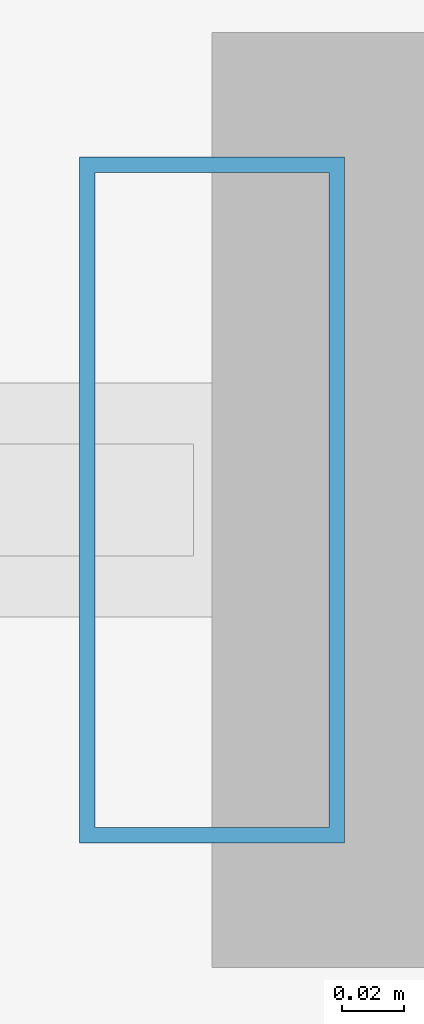
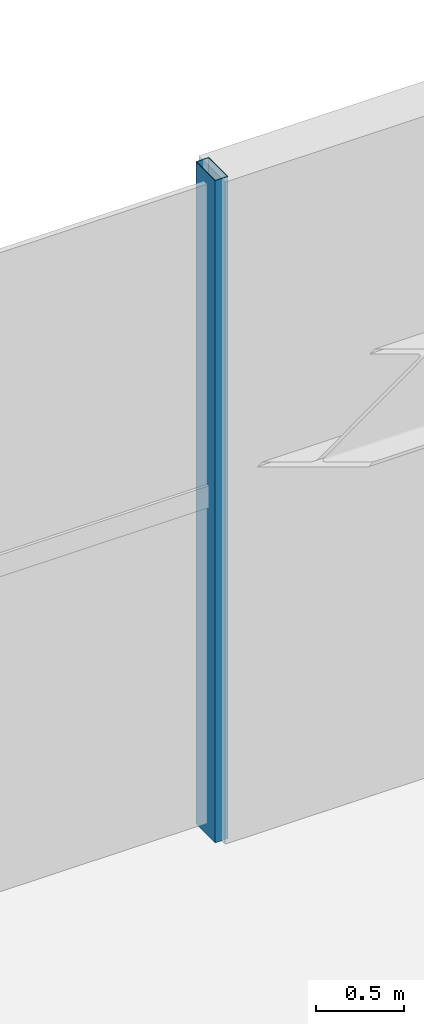
# One storey, part 21 of 31: 1 member, 1 element without a shape of its own.
"""IFC4 building model written with IfcOpenShell, lengths in metres."""

from ifc_helpers import new_model, si_unit, direction, frame, origin, origin_2d, place, context, subcontext, project, spatial, hollow_rectangle, extrude, source, transform, mapped, material, material_profile, profile_set, type_object, type_shapes, element, aggregate, save


model = new_model("IFC4")

# Units and contexts
model_context = context("Model", 3, precision=1e-05, world=origin(), true_north=direction((0.0, 1.0)))
body_context = subcontext(model_context, "Body", "Model", "MODEL_VIEW")
ifc_project = project(units=[si_unit("LENGTHUNIT", "METRE"), si_unit("AREAUNIT", "SQUARE_METRE"), si_unit("VOLUMEUNIT", "CUBIC_METRE"), si_unit("PLANEANGLEUNIT", "RADIAN"), si_unit("MASSUNIT", "GRAM", prefix="KILO")], contexts=[model_context])

# Site, building, storey
site_placement = place(None, origin())
site = spatial("IfcSite", under=ifc_project, at=site_placement, CompositionType="ELEMENT")
building_placement = place(site_placement, origin())
building = spatial("IfcBuilding", under=site, at=building_placement, Name="Astriad Promenade Condominiums", CompositionType="ELEMENT")
storey_placement = place(building_placement, origin())
storey = spatial("IfcBuildingStorey", under=building, at=storey_placement, Name="L00", CompositionType="ELEMENT", Elevation=0.0)

# Curtain wall, member
ifc_material_1 = material(Name="Anodised aluminium Black Dark Glass Unitised", Category="aluminium")
curtain_wall_type = type_object("IfcCurtainWallType", Name="CW-POD-DARK", PredefinedType="USERDEFINED", material=ifc_material_1)
curtain_wall_placement = place(storey_placement, origin())
curtain_wall = element("IfcCurtainWall", 1, at=curtain_wall_placement, inside=storey, type_object=curtain_wall_type, Name="CW-L00-N", ObjectType="UNITISED_CURTAIN_WALL", PredefinedType="USERDEFINED")
ifc_material_2 = material(Name="Anodised aluminium 6063-T6 Black", Category="aluminium")
ifc_material_profile = material_profile(ifc_material_2, hollow_rectangle(XDim=0.0849609375, YDim=0.219970703125, WallThickness=0.0048828125, at=origin_2d()), Name="ALU-MUL-85X220")
ifc_profile_set = profile_set([ifc_material_profile], Name="Anodised aluminium 6063-T6 Black")
member_type = type_object("IfcMemberType", Name="MUL-ALU-MUL-85X220", PredefinedType="MULLION", material=ifc_profile_set)
shared_shape = source(origin(), body_context, "Body", "SweptSolid", [
    extrude(hollow_rectangle(XDim=0.0849609375, YDim=0.219970703125, WallThickness=0.0048828125, at=origin_2d()), origin(), (0.0, 0.0, 1.0), 4.580078125),
])
type_shapes(member_type, [shared_shape])
member_placement = place(storey_placement, frame((66.0, 36.64990234375, 0.0), z_axis=(0.0, 0.0, 1.0), x_axis=(1.0, 0.0, 0.0)))
member = element("IfcMember", 2, at=member_placement, type_object=member_type, Name="CW-L00-N-MUL-08", PredefinedType="MULLION", context=body_context, shape_type="MappedRepresentation", body=[
    mapped(shared_shape, transform((0.0, 0.0, 0.0), scale=1.0)),
])
aggregate(curtain_wall, [member])

save(model, "model.ifc")
